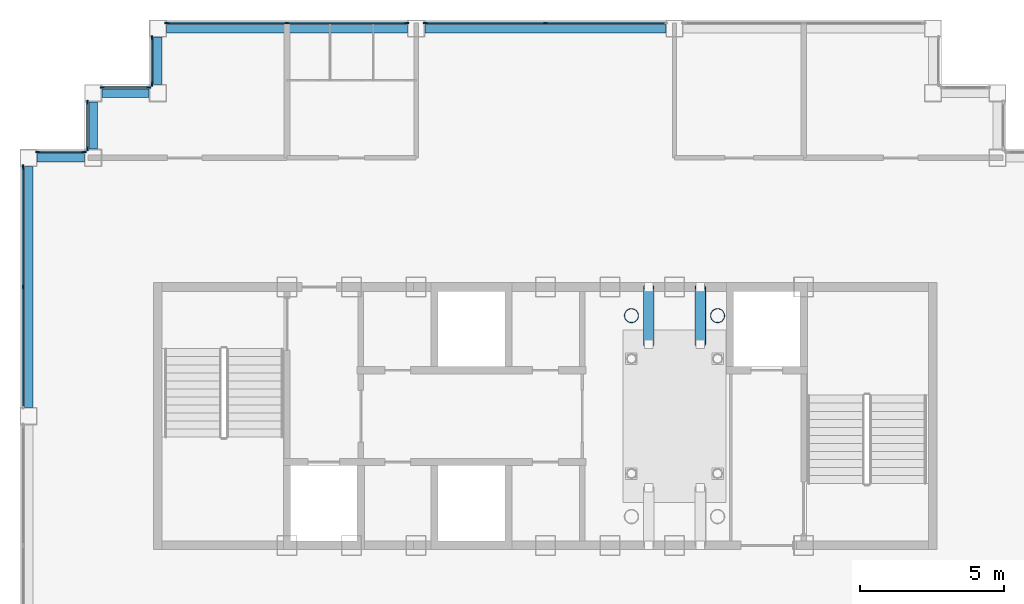
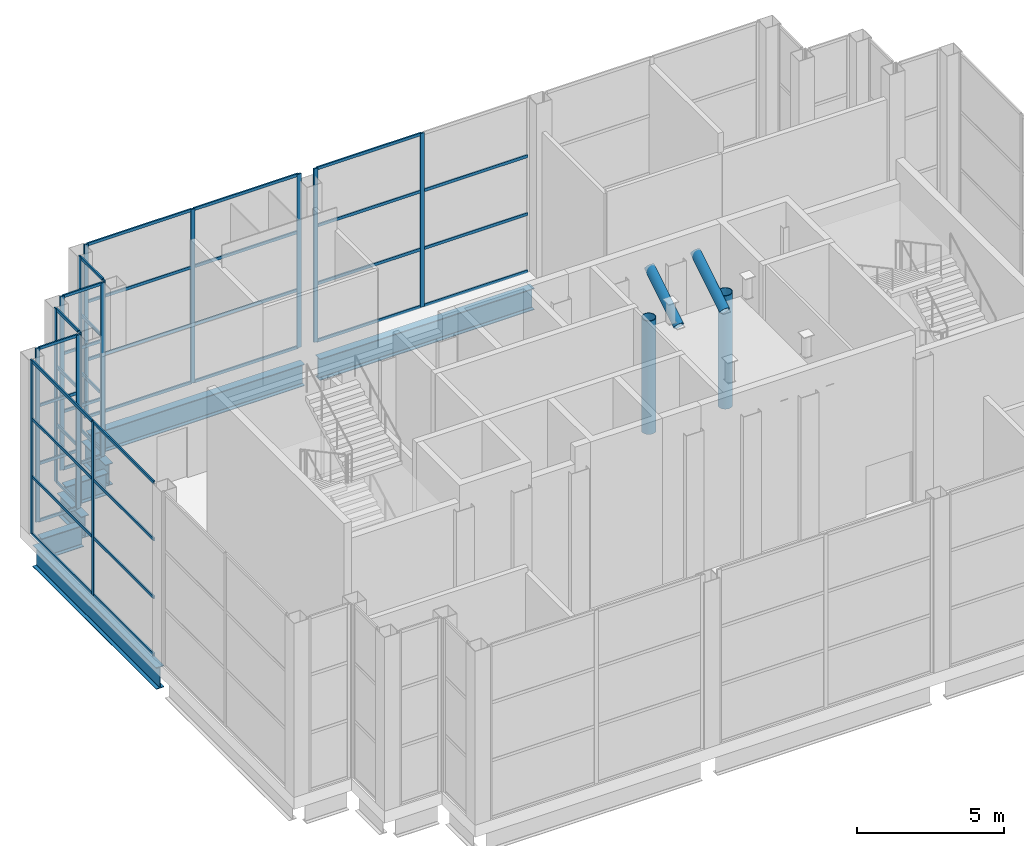
# One storey, part 4 of 15: 58 members, 7 beams, 7 elements without a shape of their own.
"""IFC4 building model written with IfcOpenShell, lengths in metres."""

from ifc_helpers import new_model, si_unit, direction, frame, origin, origin_2d, place, context, subcontext, project, spatial, rectangle, hollow_circle, i_section, extrude, material, layer, layer_set, material_profile, profile_set, type_object, element, aggregate, save


model = new_model("IFC4")

# Units and contexts
model_context = context("Model", 3, precision=1e-05, world=origin(), true_north=direction((0.0, 1.0)))
body_context = subcontext(model_context, "Body", "Model", "MODEL_VIEW")
ifc_project = project(units=[si_unit("LENGTHUNIT", "METRE"), si_unit("AREAUNIT", "SQUARE_METRE"), si_unit("VOLUMEUNIT", "CUBIC_METRE"), si_unit("PLANEANGLEUNIT", "RADIAN"), si_unit("MASSUNIT", "GRAM", prefix="KILO")], contexts=[model_context])

# Site, building, storey
site_placement = place(None, origin())
site = spatial("IfcSite", under=ifc_project, at=site_placement, CompositionType="ELEMENT")
building_placement = place(site_placement, origin())
building = spatial("IfcBuilding", under=site, at=building_placement, Name="Caravel Reach Hotel and Residences", CompositionType="ELEMENT")
storey_placement = place(building_placement, frame((0.0, 0.0, 305.60009765625)))
storey = spatial("IfcBuildingStorey", under=building, at=storey_placement, Name="L78", CompositionType="ELEMENT", Elevation=305.60009765625)

# Members
ifc_material_1 = material(Name="Structural steel Q390B", Category="steel")
ifc_material_profile_1 = material_profile(ifc_material_1, hollow_circle(Radius=0.1884765625, WallThickness=0.013916015625, at=origin_2d()), Name="CHS 377x14")
ifc_profile_set_1 = profile_set([ifc_material_profile_1], Name="Structural steel Q390B")
member_type_1 = type_object("IfcMemberType", Name="Brace CHS 377x14", PredefinedType="BRACE", material=ifc_profile_set_1)
for number, where, z_axis, x_axis, name in (
    (1, (35.10009765625, 29.5, 4.724853515625), (0.0, 0.847998304005, 0.529998940003), (-1.0, 0.0, 0.0), "Tuned mass damper TMD1 viscous damper"),
    (2, (36.89990234375, 29.5, 4.724853515625), (0.0, 0.847998304005, 0.529998940003), (-1.0, 0.0, 0.0), "Tuned mass damper TMD1 viscous damper"),
):
    element("IfcMember", number, at=place(storey_placement, frame(where, z_axis=z_axis, x_axis=x_axis)), inside=storey, type_object=member_type_1, Name=name, PredefinedType="BRACE", context=body_context, shape_type="SweptSolid", body=[
        extrude(hollow_circle(Radius=0.1884765625, WallThickness=0.013916015625, at=origin_2d()), origin(), (0.0, 0.0, 1.0), 2.3583984375),
    ])

# Curtain wall, members
ifc_material_2 = material(Name="Dark low-e glazing in black aluminium frame", Category="aluminium")
ifc_layer = layer(ifc_material_2, 0.199951171875)
ifc_layer_set = layer_set([ifc_layer], Name="CW3 Damper floor glass wall")
curtain_wall_type = type_object("IfcCurtainWallType", Name="CW3 Damper floor glass wall", PredefinedType="NOTDEFINED", material=ifc_layer_set)
curtain_wall_1_placement = place(storey_placement, origin())
curtain_wall_1 = element("IfcCurtainWall", 3, at=curtain_wall_1_placement, inside=storey, type_object=curtain_wall_type, Name="Damper floor glass wall b1", PredefinedType="NOTDEFINED")
ifc_material_3 = material(Name="Anodised aluminium alloy 6063-T5, black", Category="aluminium")
ifc_material_profile_2 = material_profile(ifc_material_3, rectangle(XDim=0.06005859375, YDim=0.159912109375, at=origin_2d()), Name="CW mullion 60 x 160")
ifc_profile_set_2 = profile_set([ifc_material_profile_2], Name="Anodised aluminium alloy 6063-T5, black")
member_type_2 = type_object("IfcMemberType", Name="CW mullion 60 x 160", PredefinedType="MULLION", material=ifc_profile_set_2)
member_1_placement = place(storey_placement, frame((31.5, 40.699951171875, 0.0), z_axis=(0.0, 0.0, 1.0), x_axis=(0.0, -1.0, 0.0)))
member_1 = element("IfcMember", 4, at=member_1_placement, type_object=member_type_2, Name="CW3 mullion 2", PredefinedType="MULLION", context=body_context, shape_type="SweptSolid", body=[
    extrude(rectangle(XDim=0.06005859375, YDim=0.159912109375, at=origin_2d()), origin(), (0.0, 0.0, 1.0), 7.199951171875),
])
member_2_placement = place(storey_placement, frame((27.330078125, 40.699951171875, 0.0), z_axis=(0.0, 0.0, 1.0), x_axis=(0.0, -1.0, 0.0)))
member_2 = element("IfcMember", 5, at=member_2_placement, type_object=member_type_2, Name="CW3 mullion 3", PredefinedType="MULLION", context=body_context, shape_type="SweptSolid", body=[
    extrude(rectangle(XDim=0.06005859375, YDim=0.159912109375, at=origin_2d()), origin(), (0.0, 0.0, 1.0), 7.199951171875),
])

curtain_wall_2_placement = place(storey_placement, origin())
curtain_wall_2 = element("IfcCurtainWall", 6, at=curtain_wall_2_placement, inside=storey, type_object=curtain_wall_type, Name="Damper floor glass wall b2", PredefinedType="NOTDEFINED")
member_3_placement = place(storey_placement, frame((26.669921875, 40.699951171875, 0.0), z_axis=(0.0, 0.0, 1.0), x_axis=(0.0, -1.0, 0.0)))
member_3 = element("IfcMember", 7, at=member_3_placement, type_object=member_type_2, Name="CW3 mullion 1", PredefinedType="MULLION", context=body_context, shape_type="SweptSolid", body=[
    extrude(rectangle(XDim=0.06005859375, YDim=0.159912109375, at=origin_2d()), origin(), (0.0, 0.0, 1.0), 7.199951171875),
])
member_4_placement = place(storey_placement, frame((22.5, 40.699951171875, 0.0), z_axis=(0.0, 0.0, 1.0), x_axis=(0.0, -1.0, 0.0)))
member_4 = element("IfcMember", 8, at=member_4_placement, type_object=member_type_2, Name="CW3 mullion 2", PredefinedType="MULLION", context=body_context, shape_type="SweptSolid", body=[
    extrude(rectangle(XDim=0.06005859375, YDim=0.159912109375, at=origin_2d()), origin(), (0.0, 0.0, 1.0), 7.199951171875),
])
member_5_placement = place(storey_placement, frame((18.330078125, 40.699951171875, 0.0), z_axis=(0.0, 0.0, 1.0), x_axis=(0.0, -1.0, 0.0)))
member_5 = element("IfcMember", 9, at=member_5_placement, type_object=member_type_2, Name="CW3 mullion 3", PredefinedType="MULLION", context=body_context, shape_type="SweptSolid", body=[
    extrude(rectangle(XDim=0.06005859375, YDim=0.159912109375, at=origin_2d()), origin(), (0.0, 0.0, 1.0), 7.199951171875),
])

curtain_wall_3_placement = place(storey_placement, origin())
curtain_wall_3 = element("IfcCurtainWall", 10, at=curtain_wall_3_placement, inside=storey, type_object=curtain_wall_type, Name="Damper floor glass wall b0", PredefinedType="NOTDEFINED")
member_6_placement = place(storey_placement, frame((17.800048828125, 40.169921875, 0.0), z_axis=(0.0, 0.0, 1.0), x_axis=(1.0, 0.0, 0.0)))
member_6 = element("IfcMember", 11, at=member_6_placement, type_object=member_type_2, Name="CW3 mullion 1", PredefinedType="MULLION", context=body_context, shape_type="SweptSolid", body=[
    extrude(rectangle(XDim=0.06005859375, YDim=0.159912109375, at=origin_2d()), origin(), (0.0, 0.0, 1.0), 7.199951171875),
])
member_7_placement = place(storey_placement, frame((17.800048828125, 38.580078125, 0.0), z_axis=(0.0, 0.0, 1.0), x_axis=(1.0, 0.0, 0.0)))
member_7 = element("IfcMember", 12, at=member_7_placement, type_object=member_type_2, Name="CW3 mullion 2", PredefinedType="MULLION", context=body_context, shape_type="SweptSolid", body=[
    extrude(rectangle(XDim=0.06005859375, YDim=0.159912109375, at=origin_2d()), origin(), (0.0, 0.0, 1.0), 7.199951171875),
])

curtain_wall_4_placement = place(storey_placement, origin())
curtain_wall_4 = element("IfcCurtainWall", 13, at=curtain_wall_4_placement, inside=storey, type_object=curtain_wall_type, Name="Damper floor glass wall b0", PredefinedType="NOTDEFINED")
member_8_placement = place(storey_placement, frame((17.669921875, 38.449951171875, 0.0), z_axis=(0.0, 0.0, 1.0), x_axis=(0.0, -1.0, 0.0)))
member_8 = element("IfcMember", 14, at=member_8_placement, type_object=member_type_2, Name="CW3 mullion 1", PredefinedType="MULLION", context=body_context, shape_type="SweptSolid", body=[
    extrude(rectangle(XDim=0.06005859375, YDim=0.159912109375, at=origin_2d()), origin(), (0.0, 0.0, 1.0), 7.199951171875),
])
member_9_placement = place(storey_placement, frame((16.080078125, 38.449951171875, 0.0), z_axis=(0.0, 0.0, 1.0), x_axis=(0.0, -1.0, 0.0)))
member_9 = element("IfcMember", 15, at=member_9_placement, type_object=member_type_2, Name="CW3 mullion 2", PredefinedType="MULLION", context=body_context, shape_type="SweptSolid", body=[
    extrude(rectangle(XDim=0.06005859375, YDim=0.159912109375, at=origin_2d()), origin(), (0.0, 0.0, 1.0), 7.199951171875),
])

curtain_wall_5_placement = place(storey_placement, origin())
curtain_wall_5 = element("IfcCurtainWall", 16, at=curtain_wall_5_placement, inside=storey, type_object=curtain_wall_type, Name="Damper floor glass wall b0", PredefinedType="NOTDEFINED")
member_10_placement = place(storey_placement, frame((15.550048828125, 37.919921875, 0.0), z_axis=(0.0, 0.0, 1.0), x_axis=(1.0, 0.0, 0.0)))
member_10 = element("IfcMember", 17, at=member_10_placement, type_object=member_type_2, Name="CW3 mullion 1", PredefinedType="MULLION", context=body_context, shape_type="SweptSolid", body=[
    extrude(rectangle(XDim=0.06005859375, YDim=0.159912109375, at=origin_2d()), origin(), (0.0, 0.0, 1.0), 7.199951171875),
])
member_11_placement = place(storey_placement, frame((15.550048828125, 36.330078125, 0.0), z_axis=(0.0, 0.0, 1.0), x_axis=(1.0, 0.0, 0.0)))
member_11 = element("IfcMember", 18, at=member_11_placement, type_object=member_type_2, Name="CW3 mullion 2", PredefinedType="MULLION", context=body_context, shape_type="SweptSolid", body=[
    extrude(rectangle(XDim=0.06005859375, YDim=0.159912109375, at=origin_2d()), origin(), (0.0, 0.0, 1.0), 7.199951171875),
])

curtain_wall_6_placement = place(storey_placement, origin())
curtain_wall_6 = element("IfcCurtainWall", 19, at=curtain_wall_6_placement, inside=storey, type_object=curtain_wall_type, Name="Damper floor glass wall b0", PredefinedType="NOTDEFINED")
member_12_placement = place(storey_placement, frame((15.419921875, 36.199951171875, 0.0), z_axis=(0.0, 0.0, 1.0), x_axis=(0.0, -1.0, 0.0)))
member_12 = element("IfcMember", 20, at=member_12_placement, type_object=member_type_2, Name="CW3 mullion 1", PredefinedType="MULLION", context=body_context, shape_type="SweptSolid", body=[
    extrude(rectangle(XDim=0.06005859375, YDim=0.159912109375, at=origin_2d()), origin(), (0.0, 0.0, 1.0), 7.199951171875),
])
member_13_placement = place(storey_placement, frame((13.830078125, 36.199951171875, 0.0), z_axis=(0.0, 0.0, 1.0), x_axis=(0.0, -1.0, 0.0)))
member_13 = element("IfcMember", 21, at=member_13_placement, type_object=member_type_2, Name="CW3 mullion 2", PredefinedType="MULLION", context=body_context, shape_type="SweptSolid", body=[
    extrude(rectangle(XDim=0.06005859375, YDim=0.159912109375, at=origin_2d()), origin(), (0.0, 0.0, 1.0), 7.199951171875),
])

curtain_wall_7_placement = place(storey_placement, origin())
curtain_wall_7 = element("IfcCurtainWall", 22, at=curtain_wall_7_placement, inside=storey, type_object=curtain_wall_type, Name="Damper floor glass wall b0", PredefinedType="NOTDEFINED")
member_14_placement = place(storey_placement, frame((13.300048828125, 35.669921875, 0.0), z_axis=(0.0, 0.0, 1.0), x_axis=(1.0, 0.0, 0.0)))
member_14 = element("IfcMember", 23, at=member_14_placement, type_object=member_type_2, Name="CW3 mullion 1", PredefinedType="MULLION", context=body_context, shape_type="SweptSolid", body=[
    extrude(rectangle(XDim=0.06005859375, YDim=0.159912109375, at=origin_2d()), origin(), (0.0, 0.0, 1.0), 7.199951171875),
])
member_15_placement = place(storey_placement, frame((13.300048828125, 31.5, 0.0), z_axis=(0.0, 0.0, 1.0), x_axis=(1.0, 0.0, 0.0)))
member_15 = element("IfcMember", 24, at=member_15_placement, type_object=member_type_2, Name="CW3 mullion 2", PredefinedType="MULLION", context=body_context, shape_type="SweptSolid", body=[
    extrude(rectangle(XDim=0.06005859375, YDim=0.159912109375, at=origin_2d()), origin(), (0.0, 0.0, 1.0), 7.199951171875),
])

# Member
ifc_material_4 = material(Name="Anodised aluminium alloy 6063-T5, black", Category="aluminium")
ifc_material_profile_3 = material_profile(ifc_material_4, rectangle(XDim=0.06005859375, YDim=0.1201171875, at=origin_2d()), Name="CW transom 60 x 120")
ifc_profile_set_3 = profile_set([ifc_material_profile_3], Name="Anodised aluminium alloy 6063-T5, black")
member_type_3 = type_object("IfcMemberType", Name="CW transom 60 x 120", PredefinedType="USERDEFINED", material=ifc_profile_set_3)
member_16_placement = place(storey_placement, frame((35.639892578125, 40.699951171875, 0.02978515625), z_axis=(-1.0, 0.0, 0.0), x_axis=(0.0, -1.0, 0.0)))
member_16 = element("IfcMember", 25, at=member_16_placement, type_object=member_type_3, Name="CW3 transom 1.1", ObjectType="TRANSOM", PredefinedType="USERDEFINED", context=body_context, shape_type="SweptSolid", body=[
    extrude(rectangle(XDim=0.06005859375, YDim=0.1201171875, at=origin_2d()), origin(), (0.0, 0.0, 1.0), 4.10986328125),
])

member_17_placement = place(storey_placement, frame((35.639892578125, 40.699951171875, 2.39990234375), z_axis=(-1.0, 0.0, 0.0), x_axis=(0.0, -1.0, 0.0)))
member_17 = element("IfcMember", 26, at=member_17_placement, type_object=member_type_3, Name="CW3 transom 1.2", ObjectType="TRANSOM", PredefinedType="USERDEFINED", context=body_context, shape_type="SweptSolid", body=[
    extrude(rectangle(XDim=0.06005859375, YDim=0.1201171875, at=origin_2d()), origin(), (0.0, 0.0, 1.0), 4.10986328125),
])

member_18_placement = place(storey_placement, frame((35.639892578125, 40.699951171875, 4.7998046875), z_axis=(-1.0, 0.0, 0.0), x_axis=(0.0, -1.0, 0.0)))
member_18 = element("IfcMember", 27, at=member_18_placement, type_object=member_type_3, Name="CW3 transom 1.3", ObjectType="TRANSOM", PredefinedType="USERDEFINED", context=body_context, shape_type="SweptSolid", body=[
    extrude(rectangle(XDim=0.06005859375, YDim=0.1201171875, at=origin_2d()), origin(), (0.0, 0.0, 1.0), 4.10986328125),
])

member_19_placement = place(storey_placement, frame((31.469970703125, 40.699951171875, 0.02978515625), z_axis=(-1.0, 0.0, 0.0), x_axis=(0.0, -1.0, 0.0)))
member_19 = element("IfcMember", 28, at=member_19_placement, type_object=member_type_3, Name="CW3 transom 2.1", ObjectType="TRANSOM", PredefinedType="USERDEFINED", context=body_context, shape_type="SweptSolid", body=[
    extrude(rectangle(XDim=0.06005859375, YDim=0.1201171875, at=origin_2d()), origin(), (0.0, 0.0, 1.0), 4.10986328125),
])

member_20_placement = place(storey_placement, frame((31.469970703125, 40.699951171875, 2.39990234375), z_axis=(-1.0, 0.0, 0.0), x_axis=(0.0, -1.0, 0.0)))
member_20 = element("IfcMember", 29, at=member_20_placement, type_object=member_type_3, Name="CW3 transom 2.2", ObjectType="TRANSOM", PredefinedType="USERDEFINED", context=body_context, shape_type="SweptSolid", body=[
    extrude(rectangle(XDim=0.06005859375, YDim=0.1201171875, at=origin_2d()), origin(), (0.0, 0.0, 1.0), 4.10986328125),
])

member_21_placement = place(storey_placement, frame((31.469970703125, 40.699951171875, 4.7998046875), z_axis=(-1.0, 0.0, 0.0), x_axis=(0.0, -1.0, 0.0)))
member_21 = element("IfcMember", 30, at=member_21_placement, type_object=member_type_3, Name="CW3 transom 2.3", ObjectType="TRANSOM", PredefinedType="USERDEFINED", context=body_context, shape_type="SweptSolid", body=[
    extrude(rectangle(XDim=0.06005859375, YDim=0.1201171875, at=origin_2d()), origin(), (0.0, 0.0, 1.0), 4.10986328125),
])

member_22_placement = place(storey_placement, frame((31.469970703125, 40.699951171875, 7.169921875), z_axis=(-1.0, 0.0, 0.0), x_axis=(0.0, -1.0, 0.0)))
member_22 = element("IfcMember", 31, at=member_22_placement, type_object=member_type_3, Name="CW3 transom 2.4", ObjectType="TRANSOM", PredefinedType="USERDEFINED", context=body_context, shape_type="SweptSolid", body=[
    extrude(rectangle(XDim=0.06005859375, YDim=0.1201171875, at=origin_2d()), origin(), (0.0, 0.0, 1.0), 4.10986328125),
])

aggregate(curtain_wall_1, [member_1, member_2, member_16, member_17, member_18, member_19, member_20, member_21, member_22])

member_23_placement = place(storey_placement, frame((26.639892578125, 40.699951171875, 0.02978515625), z_axis=(-1.0, 0.0, 0.0), x_axis=(0.0, -1.0, 0.0)))
member_23 = element("IfcMember", 32, at=member_23_placement, type_object=member_type_3, Name="CW3 transom 1.1", ObjectType="TRANSOM", PredefinedType="USERDEFINED", context=body_context, shape_type="SweptSolid", body=[
    extrude(rectangle(XDim=0.06005859375, YDim=0.1201171875, at=origin_2d()), origin(), (0.0, 0.0, 1.0), 4.10986328125),
])

member_24_placement = place(storey_placement, frame((26.639892578125, 40.699951171875, 2.39990234375), z_axis=(-1.0, 0.0, 0.0), x_axis=(0.0, -1.0, 0.0)))
member_24 = element("IfcMember", 33, at=member_24_placement, type_object=member_type_3, Name="CW3 transom 1.2", ObjectType="TRANSOM", PredefinedType="USERDEFINED", context=body_context, shape_type="SweptSolid", body=[
    extrude(rectangle(XDim=0.06005859375, YDim=0.1201171875, at=origin_2d()), origin(), (0.0, 0.0, 1.0), 4.10986328125),
])

member_25_placement = place(storey_placement, frame((26.639892578125, 40.699951171875, 4.7998046875), z_axis=(-1.0, 0.0, 0.0), x_axis=(0.0, -1.0, 0.0)))
member_25 = element("IfcMember", 34, at=member_25_placement, type_object=member_type_3, Name="CW3 transom 1.3", ObjectType="TRANSOM", PredefinedType="USERDEFINED", context=body_context, shape_type="SweptSolid", body=[
    extrude(rectangle(XDim=0.06005859375, YDim=0.1201171875, at=origin_2d()), origin(), (0.0, 0.0, 1.0), 4.10986328125),
])

member_26_placement = place(storey_placement, frame((26.639892578125, 40.699951171875, 7.169921875), z_axis=(-1.0, 0.0, 0.0), x_axis=(0.0, -1.0, 0.0)))
member_26 = element("IfcMember", 35, at=member_26_placement, type_object=member_type_3, Name="CW3 transom 1.4", ObjectType="TRANSOM", PredefinedType="USERDEFINED", context=body_context, shape_type="SweptSolid", body=[
    extrude(rectangle(XDim=0.06005859375, YDim=0.1201171875, at=origin_2d()), origin(), (0.0, 0.0, 1.0), 4.10986328125),
])

member_27_placement = place(storey_placement, frame((22.469970703125, 40.699951171875, 0.02978515625), z_axis=(-1.0, 0.0, 0.0), x_axis=(0.0, -1.0, 0.0)))
member_27 = element("IfcMember", 36, at=member_27_placement, type_object=member_type_3, Name="CW3 transom 2.1", ObjectType="TRANSOM", PredefinedType="USERDEFINED", context=body_context, shape_type="SweptSolid", body=[
    extrude(rectangle(XDim=0.06005859375, YDim=0.1201171875, at=origin_2d()), origin(), (0.0, 0.0, 1.0), 4.10986328125),
])

member_28_placement = place(storey_placement, frame((22.469970703125, 40.699951171875, 2.39990234375), z_axis=(-1.0, 0.0, 0.0), x_axis=(0.0, -1.0, 0.0)))
member_28 = element("IfcMember", 37, at=member_28_placement, type_object=member_type_3, Name="CW3 transom 2.2", ObjectType="TRANSOM", PredefinedType="USERDEFINED", context=body_context, shape_type="SweptSolid", body=[
    extrude(rectangle(XDim=0.06005859375, YDim=0.1201171875, at=origin_2d()), origin(), (0.0, 0.0, 1.0), 4.10986328125),
])

member_29_placement = place(storey_placement, frame((22.469970703125, 40.699951171875, 4.7998046875), z_axis=(-1.0, 0.0, 0.0), x_axis=(0.0, -1.0, 0.0)))
member_29 = element("IfcMember", 38, at=member_29_placement, type_object=member_type_3, Name="CW3 transom 2.3", ObjectType="TRANSOM", PredefinedType="USERDEFINED", context=body_context, shape_type="SweptSolid", body=[
    extrude(rectangle(XDim=0.06005859375, YDim=0.1201171875, at=origin_2d()), origin(), (0.0, 0.0, 1.0), 4.10986328125),
])

member_30_placement = place(storey_placement, frame((22.469970703125, 40.699951171875, 7.169921875), z_axis=(-1.0, 0.0, 0.0), x_axis=(0.0, -1.0, 0.0)))
member_30 = element("IfcMember", 39, at=member_30_placement, type_object=member_type_3, Name="CW3 transom 2.4", ObjectType="TRANSOM", PredefinedType="USERDEFINED", context=body_context, shape_type="SweptSolid", body=[
    extrude(rectangle(XDim=0.06005859375, YDim=0.1201171875, at=origin_2d()), origin(), (0.0, 0.0, 1.0), 4.10986328125),
])

aggregate(curtain_wall_2, [member_3, member_4, member_5, member_23, member_24, member_25, member_26, member_27, member_28, member_29, member_30])

member_31_placement = place(storey_placement, frame((17.800048828125, 40.139892578125, 0.02978515625), z_axis=(0.0, -1.0, 0.0), x_axis=(1.0, 0.0, 0.0)))
member_31 = element("IfcMember", 40, at=member_31_placement, type_object=member_type_3, Name="CW3 transom 1.1", ObjectType="TRANSOM", PredefinedType="USERDEFINED", context=body_context, shape_type="SweptSolid", body=[
    extrude(rectangle(XDim=0.06005859375, YDim=0.1201171875, at=origin_2d()), origin(), (0.0, 0.0, 1.0), 1.52978515625),
])

member_32_placement = place(storey_placement, frame((17.800048828125, 40.139892578125, 2.39990234375), z_axis=(0.0, -1.0, 0.0), x_axis=(1.0, 0.0, 0.0)))
member_32 = element("IfcMember", 41, at=member_32_placement, type_object=member_type_3, Name="CW3 transom 1.2", ObjectType="TRANSOM", PredefinedType="USERDEFINED", context=body_context, shape_type="SweptSolid", body=[
    extrude(rectangle(XDim=0.06005859375, YDim=0.1201171875, at=origin_2d()), origin(), (0.0, 0.0, 1.0), 1.52978515625),
])

member_33_placement = place(storey_placement, frame((17.800048828125, 40.139892578125, 4.7998046875), z_axis=(0.0, -1.0, 0.0), x_axis=(1.0, 0.0, 0.0)))
member_33 = element("IfcMember", 42, at=member_33_placement, type_object=member_type_3, Name="CW3 transom 1.3", ObjectType="TRANSOM", PredefinedType="USERDEFINED", context=body_context, shape_type="SweptSolid", body=[
    extrude(rectangle(XDim=0.06005859375, YDim=0.1201171875, at=origin_2d()), origin(), (0.0, 0.0, 1.0), 1.52978515625),
])

member_34_placement = place(storey_placement, frame((17.800048828125, 40.139892578125, 7.169921875), z_axis=(0.0, -1.0, 0.0), x_axis=(1.0, 0.0, 0.0)))
member_34 = element("IfcMember", 43, at=member_34_placement, type_object=member_type_3, Name="CW3 transom 1.4", ObjectType="TRANSOM", PredefinedType="USERDEFINED", context=body_context, shape_type="SweptSolid", body=[
    extrude(rectangle(XDim=0.06005859375, YDim=0.1201171875, at=origin_2d()), origin(), (0.0, 0.0, 1.0), 1.52978515625),
])

aggregate(curtain_wall_3, [member_6, member_7, member_31, member_32, member_33, member_34])

member_35_placement = place(storey_placement, frame((17.639892578125, 38.449951171875, 0.02978515625), z_axis=(-1.0, 0.0, 0.0), x_axis=(0.0, -1.0, 0.0)))
member_35 = element("IfcMember", 44, at=member_35_placement, type_object=member_type_3, Name="CW3 transom 1.1", ObjectType="TRANSOM", PredefinedType="USERDEFINED", context=body_context, shape_type="SweptSolid", body=[
    extrude(rectangle(XDim=0.06005859375, YDim=0.1201171875, at=origin_2d()), origin(), (0.0, 0.0, 1.0), 1.52978515625),
])

member_36_placement = place(storey_placement, frame((17.639892578125, 38.449951171875, 2.39990234375), z_axis=(-1.0, 0.0, 0.0), x_axis=(0.0, -1.0, 0.0)))
member_36 = element("IfcMember", 45, at=member_36_placement, type_object=member_type_3, Name="CW3 transom 1.2", ObjectType="TRANSOM", PredefinedType="USERDEFINED", context=body_context, shape_type="SweptSolid", body=[
    extrude(rectangle(XDim=0.06005859375, YDim=0.1201171875, at=origin_2d()), origin(), (0.0, 0.0, 1.0), 1.52978515625),
])

member_37_placement = place(storey_placement, frame((17.639892578125, 38.449951171875, 4.7998046875), z_axis=(-1.0, 0.0, 0.0), x_axis=(0.0, -1.0, 0.0)))
member_37 = element("IfcMember", 46, at=member_37_placement, type_object=member_type_3, Name="CW3 transom 1.3", ObjectType="TRANSOM", PredefinedType="USERDEFINED", context=body_context, shape_type="SweptSolid", body=[
    extrude(rectangle(XDim=0.06005859375, YDim=0.1201171875, at=origin_2d()), origin(), (0.0, 0.0, 1.0), 1.52978515625),
])

member_38_placement = place(storey_placement, frame((17.639892578125, 38.449951171875, 7.169921875), z_axis=(-1.0, 0.0, 0.0), x_axis=(0.0, -1.0, 0.0)))
member_38 = element("IfcMember", 47, at=member_38_placement, type_object=member_type_3, Name="CW3 transom 1.4", ObjectType="TRANSOM", PredefinedType="USERDEFINED", context=body_context, shape_type="SweptSolid", body=[
    extrude(rectangle(XDim=0.06005859375, YDim=0.1201171875, at=origin_2d()), origin(), (0.0, 0.0, 1.0), 1.52978515625),
])

aggregate(curtain_wall_4, [member_8, member_9, member_35, member_36, member_37, member_38])

member_39_placement = place(storey_placement, frame((15.550048828125, 37.889892578125, 0.02978515625), z_axis=(0.0, -1.0, 0.0), x_axis=(1.0, 0.0, 0.0)))
member_39 = element("IfcMember", 48, at=member_39_placement, type_object=member_type_3, Name="CW3 transom 1.1", ObjectType="TRANSOM", PredefinedType="USERDEFINED", context=body_context, shape_type="SweptSolid", body=[
    extrude(rectangle(XDim=0.06005859375, YDim=0.1201171875, at=origin_2d()), origin(), (0.0, 0.0, 1.0), 1.52978515625),
])

member_40_placement = place(storey_placement, frame((15.550048828125, 37.889892578125, 2.39990234375), z_axis=(0.0, -1.0, 0.0), x_axis=(1.0, 0.0, 0.0)))
member_40 = element("IfcMember", 49, at=member_40_placement, type_object=member_type_3, Name="CW3 transom 1.2", ObjectType="TRANSOM", PredefinedType="USERDEFINED", context=body_context, shape_type="SweptSolid", body=[
    extrude(rectangle(XDim=0.06005859375, YDim=0.1201171875, at=origin_2d()), origin(), (0.0, 0.0, 1.0), 1.52978515625),
])

member_41_placement = place(storey_placement, frame((15.550048828125, 37.889892578125, 4.7998046875), z_axis=(0.0, -1.0, 0.0), x_axis=(1.0, 0.0, 0.0)))
member_41 = element("IfcMember", 50, at=member_41_placement, type_object=member_type_3, Name="CW3 transom 1.3", ObjectType="TRANSOM", PredefinedType="USERDEFINED", context=body_context, shape_type="SweptSolid", body=[
    extrude(rectangle(XDim=0.06005859375, YDim=0.1201171875, at=origin_2d()), origin(), (0.0, 0.0, 1.0), 1.52978515625),
])

member_42_placement = place(storey_placement, frame((15.550048828125, 37.889892578125, 7.169921875), z_axis=(0.0, -1.0, 0.0), x_axis=(1.0, 0.0, 0.0)))
member_42 = element("IfcMember", 51, at=member_42_placement, type_object=member_type_3, Name="CW3 transom 1.4", ObjectType="TRANSOM", PredefinedType="USERDEFINED", context=body_context, shape_type="SweptSolid", body=[
    extrude(rectangle(XDim=0.06005859375, YDim=0.1201171875, at=origin_2d()), origin(), (0.0, 0.0, 1.0), 1.52978515625),
])

aggregate(curtain_wall_5, [member_10, member_11, member_39, member_40, member_41, member_42])

member_43_placement = place(storey_placement, frame((15.389892578125, 36.199951171875, 0.02978515625), z_axis=(-1.0, 0.0, 0.0), x_axis=(0.0, -1.0, 0.0)))
member_43 = element("IfcMember", 52, at=member_43_placement, type_object=member_type_3, Name="CW3 transom 1.1", ObjectType="TRANSOM", PredefinedType="USERDEFINED", context=body_context, shape_type="SweptSolid", body=[
    extrude(rectangle(XDim=0.06005859375, YDim=0.1201171875, at=origin_2d()), origin(), (0.0, 0.0, 1.0), 1.52978515625),
])

member_44_placement = place(storey_placement, frame((15.389892578125, 36.199951171875, 2.39990234375), z_axis=(-1.0, 0.0, 0.0), x_axis=(0.0, -1.0, 0.0)))
member_44 = element("IfcMember", 53, at=member_44_placement, type_object=member_type_3, Name="CW3 transom 1.2", ObjectType="TRANSOM", PredefinedType="USERDEFINED", context=body_context, shape_type="SweptSolid", body=[
    extrude(rectangle(XDim=0.06005859375, YDim=0.1201171875, at=origin_2d()), origin(), (0.0, 0.0, 1.0), 1.52978515625),
])

member_45_placement = place(storey_placement, frame((15.389892578125, 36.199951171875, 4.7998046875), z_axis=(-1.0, 0.0, 0.0), x_axis=(0.0, -1.0, 0.0)))
member_45 = element("IfcMember", 54, at=member_45_placement, type_object=member_type_3, Name="CW3 transom 1.3", ObjectType="TRANSOM", PredefinedType="USERDEFINED", context=body_context, shape_type="SweptSolid", body=[
    extrude(rectangle(XDim=0.06005859375, YDim=0.1201171875, at=origin_2d()), origin(), (0.0, 0.0, 1.0), 1.52978515625),
])

member_46_placement = place(storey_placement, frame((15.389892578125, 36.199951171875, 7.169921875), z_axis=(-1.0, 0.0, 0.0), x_axis=(0.0, -1.0, 0.0)))
member_46 = element("IfcMember", 55, at=member_46_placement, type_object=member_type_3, Name="CW3 transom 1.4", ObjectType="TRANSOM", PredefinedType="USERDEFINED", context=body_context, shape_type="SweptSolid", body=[
    extrude(rectangle(XDim=0.06005859375, YDim=0.1201171875, at=origin_2d()), origin(), (0.0, 0.0, 1.0), 1.52978515625),
])

aggregate(curtain_wall_6, [member_12, member_13, member_43, member_44, member_45, member_46])

member_47_placement = place(storey_placement, frame((13.300048828125, 35.639892578125, 0.02978515625), z_axis=(0.0, -1.0, 0.0), x_axis=(1.0, 0.0, 0.0)))
member_47 = element("IfcMember", 56, at=member_47_placement, type_object=member_type_3, Name="CW3 transom 1.1", ObjectType="TRANSOM", PredefinedType="USERDEFINED", context=body_context, shape_type="SweptSolid", body=[
    extrude(rectangle(XDim=0.06005859375, YDim=0.1201171875, at=origin_2d()), origin(), (0.0, 0.0, 1.0), 4.10986328125),
])

member_48_placement = place(storey_placement, frame((13.300048828125, 35.639892578125, 2.39990234375), z_axis=(0.0, -1.0, 0.0), x_axis=(1.0, 0.0, 0.0)))
member_48 = element("IfcMember", 57, at=member_48_placement, type_object=member_type_3, Name="CW3 transom 1.2", ObjectType="TRANSOM", PredefinedType="USERDEFINED", context=body_context, shape_type="SweptSolid", body=[
    extrude(rectangle(XDim=0.06005859375, YDim=0.1201171875, at=origin_2d()), origin(), (0.0, 0.0, 1.0), 4.10986328125),
])

member_49_placement = place(storey_placement, frame((13.300048828125, 35.639892578125, 4.7998046875), z_axis=(0.0, -1.0, 0.0), x_axis=(1.0, 0.0, 0.0)))
member_49 = element("IfcMember", 58, at=member_49_placement, type_object=member_type_3, Name="CW3 transom 1.3", ObjectType="TRANSOM", PredefinedType="USERDEFINED", context=body_context, shape_type="SweptSolid", body=[
    extrude(rectangle(XDim=0.06005859375, YDim=0.1201171875, at=origin_2d()), origin(), (0.0, 0.0, 1.0), 4.10986328125),
])

member_50_placement = place(storey_placement, frame((13.300048828125, 35.639892578125, 7.169921875), z_axis=(0.0, -1.0, 0.0), x_axis=(1.0, 0.0, 0.0)))
member_50 = element("IfcMember", 59, at=member_50_placement, type_object=member_type_3, Name="CW3 transom 1.4", ObjectType="TRANSOM", PredefinedType="USERDEFINED", context=body_context, shape_type="SweptSolid", body=[
    extrude(rectangle(XDim=0.06005859375, YDim=0.1201171875, at=origin_2d()), origin(), (0.0, 0.0, 1.0), 4.10986328125),
])

member_51_placement = place(storey_placement, frame((13.300048828125, 31.469970703125, 0.02978515625), z_axis=(0.0, -1.0, 0.0), x_axis=(1.0, 0.0, 0.0)))
member_51 = element("IfcMember", 60, at=member_51_placement, type_object=member_type_3, Name="CW3 transom 2.1", ObjectType="TRANSOM", PredefinedType="USERDEFINED", context=body_context, shape_type="SweptSolid", body=[
    extrude(rectangle(XDim=0.06005859375, YDim=0.1201171875, at=origin_2d()), origin(), (0.0, 0.0, 1.0), 4.10986328125),
])

member_52_placement = place(storey_placement, frame((13.300048828125, 31.469970703125, 2.39990234375), z_axis=(0.0, -1.0, 0.0), x_axis=(1.0, 0.0, 0.0)))
member_52 = element("IfcMember", 61, at=member_52_placement, type_object=member_type_3, Name="CW3 transom 2.2", ObjectType="TRANSOM", PredefinedType="USERDEFINED", context=body_context, shape_type="SweptSolid", body=[
    extrude(rectangle(XDim=0.06005859375, YDim=0.1201171875, at=origin_2d()), origin(), (0.0, 0.0, 1.0), 4.10986328125),
])

member_53_placement = place(storey_placement, frame((13.300048828125, 31.469970703125, 4.7998046875), z_axis=(0.0, -1.0, 0.0), x_axis=(1.0, 0.0, 0.0)))
member_53 = element("IfcMember", 62, at=member_53_placement, type_object=member_type_3, Name="CW3 transom 2.3", ObjectType="TRANSOM", PredefinedType="USERDEFINED", context=body_context, shape_type="SweptSolid", body=[
    extrude(rectangle(XDim=0.06005859375, YDim=0.1201171875, at=origin_2d()), origin(), (0.0, 0.0, 1.0), 4.10986328125),
])

member_54_placement = place(storey_placement, frame((13.300048828125, 31.469970703125, 7.169921875), z_axis=(0.0, -1.0, 0.0), x_axis=(1.0, 0.0, 0.0)))
member_54 = element("IfcMember", 63, at=member_54_placement, type_object=member_type_3, Name="CW3 transom 2.4", ObjectType="TRANSOM", PredefinedType="USERDEFINED", context=body_context, shape_type="SweptSolid", body=[
    extrude(rectangle(XDim=0.06005859375, YDim=0.1201171875, at=origin_2d()), origin(), (0.0, 0.0, 1.0), 4.10986328125),
])

aggregate(curtain_wall_7, [member_14, member_15, member_47, member_48, member_49, member_50, member_51, member_52, member_53, member_54])

# Members
ifc_material_5 = material(Name="Structural steel Q390B", Category="steel")
ifc_material_profile_4 = material_profile(ifc_material_5, hollow_circle(Radius=0.25390625, WallThickness=0.02490234375, at=origin_2d()), Name="CHS 508x25")
ifc_profile_set_4 = profile_set([ifc_material_profile_4], Name="Structural steel Q390B")
member_type_4 = type_object("IfcMemberType", Name="Post CHS 508x25", PredefinedType="POST", material=ifc_profile_set_4)
for number, where, z_axis, x_axis, name in (
    (64, (34.5, 30.5, 0.0), (0.0, 0.0, 1.0), (1.0, 0.0, 0.0), "Tuned mass damper TMD1 rest post"),
    (65, (37.5, 30.5, 0.0), (0.0, 0.0, 1.0), (1.0, 0.0, 0.0), "Tuned mass damper TMD1 rest post"),
):
    element("IfcMember", number, at=place(storey_placement, frame(where, z_axis=z_axis, x_axis=x_axis)), inside=storey, type_object=member_type_4, Name=name, PredefinedType="POST", context=body_context, shape_type="SweptSolid", body=[
        extrude(hollow_circle(Radius=0.25390625, WallThickness=0.02490234375, at=origin_2d()), origin(), (0.0, 0.0, 1.0), 4.699951171875),
    ])

# Beams
ifc_material_6 = material(Name="Structural steel Q355B", Category="steel")
ifc_material_profile_5 = material_profile(ifc_material_6, i_section(OverallWidth=0.300048828125, OverallDepth=0.89990234375, WebThickness=0.01611328125, FlangeThickness=0.028076171875, FilletRadius=0.01806640625, at=origin_2d()), Name="HN 900x300x16x28")
ifc_profile_set_5 = profile_set([ifc_material_profile_5], Name="Structural steel Q355B")
beam_type = type_object("IfcBeamType", Name="Spandrel beam HN 900x300x16x28", PredefinedType="SPANDREL", material=ifc_profile_set_5)
for number, where, z_axis, x_axis, name in (
    (66, (35.699951171875, 40.5, -0.9501953125), (-1.0, 0.0, 0.0), (0.0, -1.0, 0.0), "SP3 HN 900x300x16x28"),
    (67, (26.699951171875, 40.5, -0.9501953125), (-1.0, 0.0, 0.0), (0.0, -1.0, 0.0), "SP3 HN 900x300x16x28"),
):
    element("IfcBeam", number, at=place(storey_placement, frame(where, z_axis=z_axis, x_axis=x_axis)), inside=storey, type_object=beam_type, Name=name, PredefinedType="SPANDREL", context=body_context, shape_type="SweptSolid", body=[
        extrude(i_section(OverallWidth=0.300048828125, OverallDepth=0.89990234375, WebThickness=0.01611328125, FlangeThickness=0.028076171875, FilletRadius=0.01806640625, at=origin_2d()), origin(), (0.0, 0.0, 1.0), 8.39990234375),
    ])
for number, where, z_axis, x_axis, name in (
    (68, (18.0, 40.199951171875, -0.9501953125), (0.0, -1.0, 0.0), (1.0, 0.0, 0.0), "SP3 HN 900x300x16x28"),
    (69, (17.699951171875, 38.25, -0.9501953125), (-1.0, 0.0, 0.0), (0.0, -1.0, 0.0), "SP3 HN 900x300x16x28"),
    (70, (15.75, 37.949951171875, -0.9501953125), (0.0, -1.0, 0.0), (1.0, 0.0, 0.0), "SP3 HN 900x300x16x28"),
    (71, (15.449951171875, 36.0, -0.9501953125), (-1.0, 0.0, 0.0), (0.0, -1.0, 0.0), "SP3 HN 900x300x16x28"),
):
    element("IfcBeam", number, at=place(storey_placement, frame(where, z_axis=z_axis, x_axis=x_axis)), inside=storey, type_object=beam_type, Name=name, PredefinedType="SPANDREL", context=body_context, shape_type="SweptSolid", body=[
        extrude(i_section(OverallWidth=0.300048828125, OverallDepth=0.89990234375, WebThickness=0.01611328125, FlangeThickness=0.028076171875, FilletRadius=0.01806640625, at=origin_2d()), origin(), (0.0, 0.0, 1.0), 1.64990234375),
    ])
beam_placement = place(storey_placement, frame((13.5, 35.699951171875, -0.9501953125), z_axis=(0.0, -1.0, 0.0), x_axis=(1.0, 0.0, 0.0)))
element("IfcBeam", 72, at=beam_placement, inside=storey, type_object=beam_type, Name="SP3 HN 900x300x16x28", PredefinedType="SPANDREL", context=body_context, shape_type="SweptSolid", body=[
    extrude(i_section(OverallWidth=0.300048828125, OverallDepth=0.89990234375, WebThickness=0.01611328125, FlangeThickness=0.028076171875, FilletRadius=0.01806640625, at=origin_2d()), origin(), (0.0, 0.0, 1.0), 8.39990234375),
])

save(model, "model.ifc")
